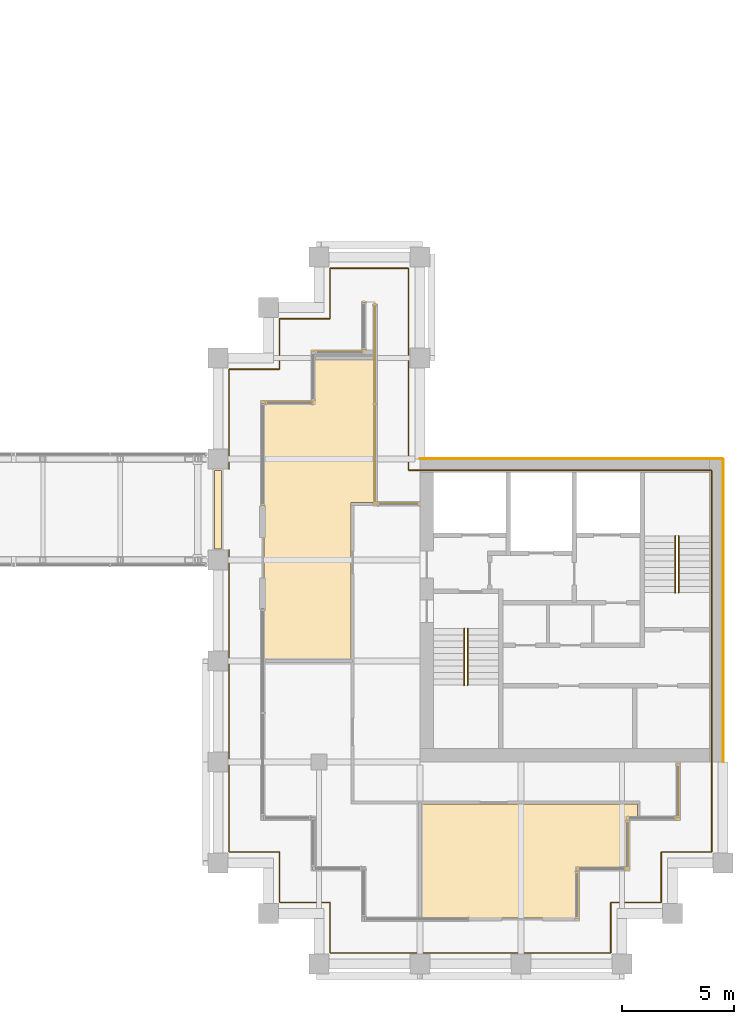
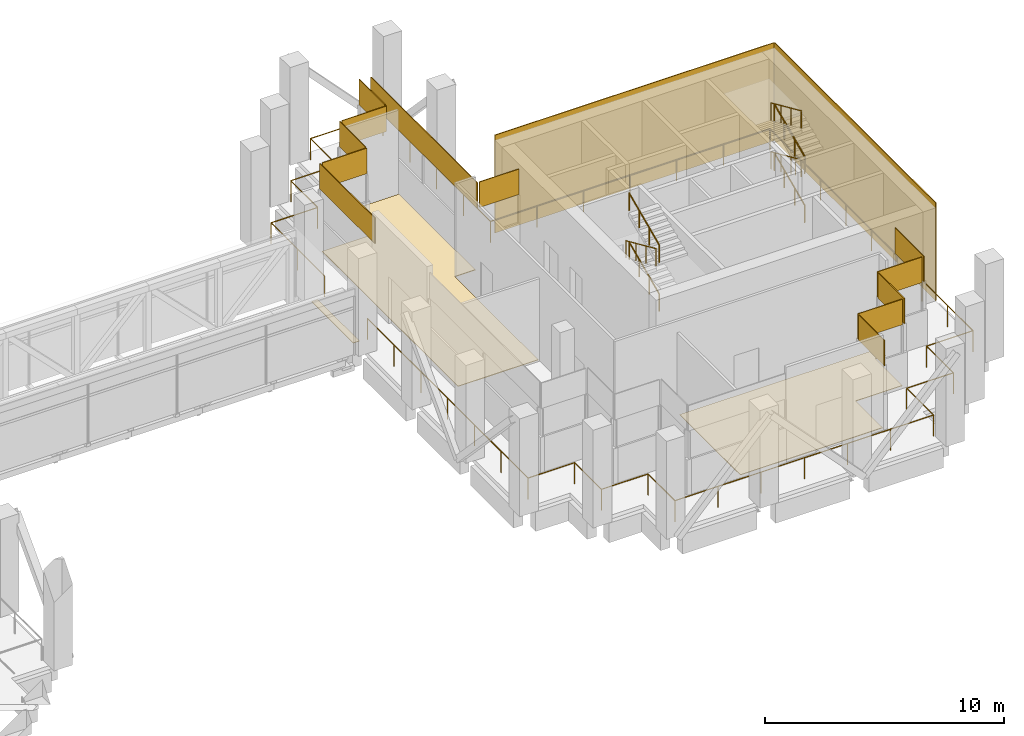
# One storey, part 34 of 34: 17 coverings, 8 railings.
"""IFC4 building model written with IfcOpenShell, lengths in metres."""

from ifc_helpers import new_model, si_unit, direction, frame, origin, origin_2d, place, context, subcontext, project, spatial, polyline, rectangle, circle, outline, extrude, source, transform, mapped, material, layer, layer_set, type_object, element, save


model = new_model("IFC4")

# Units and contexts
model_context = context("Model", 3, precision=1e-05, world=origin(), true_north=direction((0.0, 1.0)))
body_context = subcontext(model_context, "Body", "Model", "MODEL_VIEW")
ifc_project = project(units=[si_unit("LENGTHUNIT", "METRE"), si_unit("AREAUNIT", "SQUARE_METRE"), si_unit("VOLUMEUNIT", "CUBIC_METRE"), si_unit("PLANEANGLEUNIT", "RADIAN"), si_unit("MASSUNIT", "GRAM", prefix="KILO")], contexts=[model_context])

# Site, building, storey
site_placement = place(None, origin())
site = spatial("IfcSite", under=ifc_project, at=site_placement, CompositionType="ELEMENT")
building_placement = place(site_placement, origin())
building = spatial("IfcBuilding", under=site, at=building_placement, Name="Altepetl Exchange Towers", CompositionType="ELEMENT")
storey_placement = place(building_placement, frame((0.0, 0.0, 190.60009765625)))
storey = spatial("IfcBuildingStorey", under=building, at=storey_placement, Name="L48 Refuge", CompositionType="ELEMENT", Elevation=190.60009765625)

# Coverings
ifc_material_1 = material(Name="Stainless steel and elastomer joint cover", Category="steel")
ifc_layer_1 = layer(ifc_material_1, 0.02001953125)
ifc_layer_set_1 = layer_set([ifc_layer_1], Name="Stainless steel and elastomer joint cover")
covering_type_1 = type_object("IfcCoveringType", Name="Flexible expansion joint cover 300", PredefinedType="FLOORING", material=ifc_layer_set_1)
covering_1_placement = place(storey_placement, frame((94.5, 47.25, 0.0)))
element("IfcCovering", 1, at=covering_1_placement, inside=storey, type_object=covering_type_1, Name="BR3 joint cover", PredefinedType="FLOORING", context=body_context, shape_type="SweptSolid", body=[
    extrude(rectangle(XDim=0.300048828125, YDim=3.5, at=origin_2d()), origin(), (0.0, 0.0, 1.0), 0.02001953125),
])
ifc_material_2 = material(Name="Cantera stone", Category="masonry")
ifc_layer_2 = layer(ifc_material_2, 0.030029296875)
ifc_layer_set_2 = layer_set([ifc_layer_2], Name="Cantera stone")
covering_type_2 = type_object("IfcCoveringType", Name="Polished stone floor", PredefinedType="FLOORING", material=ifc_layer_set_2)
covering_2_placement = place(storey_placement, origin())
element("IfcCovering", 2, at=covering_2_placement, inside=storey, type_object=covering_type_2, Name="Refuge area floor finish B48.02", PredefinedType="FLOORING", context=body_context, shape_type="SweptSolid", body=[
    extrude(outline(polyline([(113.1875, 34.137451171875), (103.5625, 34.137451171875), (103.5625, 29.0625), (110.4375, 29.0625), (110.4375, 31.3125), (112.6875, 31.3125), (112.6875, 33.5625), (113.1875, 33.5625), (113.1875, 34.137451171875)])), origin(), (0.0, 0.0, 1.0), 0.02978515625),
])
covering_3_placement = place(storey_placement, origin())
element("IfcCovering", 3, at=covering_3_placement, inside=storey, type_object=covering_type_2, Name="Bridge lobby floor finish B48.03", PredefinedType="FLOORING", context=body_context, shape_type="SweptSolid", body=[
    extrude(outline(polyline([(96.5625, 51.9375), (96.5625, 40.5625), (100.4375, 40.5625), (100.4375, 47.5625), (101.4375, 47.5625), (101.4375, 53.9375), (98.8125, 53.9375), (98.8125, 51.9375), (96.5625, 51.9375)])), origin(), (0.0, 0.0, 1.0), 0.02978515625),
])
ifc_material_3 = material(Name="Cantera limestone cladding", Category="masonry")
ifc_layer_3 = layer(ifc_material_3, 0.0400390625)
ifc_layer_set_3 = layer_set([ifc_layer_3], Name="Cantera limestone cladding")
covering_type_3 = type_object("IfcCoveringType", Name="Stone panel 40 cantera", PredefinedType="CLADDING", material=ifc_layer_set_3)
covering_4_placement = place(storey_placement, frame((110.5, 30.074951171875, 3.19970703125), z_axis=(0.0, 0.0, 1.0), x_axis=(0.0, 1.0, 0.0)))
element("IfcCovering", 4, at=covering_4_placement, inside=storey, type_object=covering_type_3, Name="Stone cladding band", PredefinedType="CLADDING", context=body_context, shape_type="SweptSolid", body=[
    extrude(rectangle(XDim=2.14990234375, YDim=0.0400390625, at=origin_2d()), origin(), (0.0, 0.0, 1.0), 1.300048828125),
])
covering_5_placement = place(storey_placement, frame((111.574951171875, 31.25, 3.19970703125)))
element("IfcCovering", 5, at=covering_5_placement, inside=storey, type_object=covering_type_3, Name="Stone cladding band", PredefinedType="CLADDING", context=body_context, shape_type="SweptSolid", body=[
    extrude(rectangle(XDim=2.14990234375, YDim=0.0400390625, at=origin_2d()), origin(), (0.0, 0.0, 1.0), 1.300048828125),
])
covering_6_placement = place(storey_placement, frame((112.75, 32.324951171875, 3.19970703125), z_axis=(0.0, 0.0, 1.0), x_axis=(0.0, 1.0, 0.0)))
element("IfcCovering", 6, at=covering_6_placement, inside=storey, type_object=covering_type_3, Name="Stone cladding band", PredefinedType="CLADDING", context=body_context, shape_type="SweptSolid", body=[
    extrude(rectangle(XDim=2.14990234375, YDim=0.0400390625, at=origin_2d()), origin(), (0.0, 0.0, 1.0), 1.300048828125),
])
covering_7_placement = place(storey_placement, frame((113.824951171875, 33.5, 3.19970703125)))
element("IfcCovering", 7, at=covering_7_placement, inside=storey, type_object=covering_type_3, Name="Stone cladding band", PredefinedType="CLADDING", context=body_context, shape_type="SweptSolid", body=[
    extrude(rectangle(XDim=2.14990234375, YDim=0.0400390625, at=origin_2d()), origin(), (0.0, 0.0, 1.0), 1.300048828125),
])
covering_8_placement = place(storey_placement, frame((115.0, 34.699951171875, 3.19970703125), z_axis=(0.0, 0.0, 1.0), x_axis=(0.0, 1.0, 0.0)))
element("IfcCovering", 8, at=covering_8_placement, inside=storey, type_object=covering_type_3, Name="Stone cladding band", PredefinedType="CLADDING", context=body_context, shape_type="SweptSolid", body=[
    extrude(rectangle(XDim=2.39990234375, YDim=0.0400390625, at=origin_2d()), origin(), (0.0, 0.0, 1.0), 1.300048828125),
])
covering_9_placement = place(storey_placement, frame((102.550048828125, 47.5, 3.19970703125), z_axis=(0.0, 0.0, 1.0), x_axis=(-1.0, 0.0, 0.0)))
element("IfcCovering", 9, at=covering_9_placement, inside=storey, type_object=covering_type_3, Name="Stone cladding band", PredefinedType="CLADDING", context=body_context, shape_type="SweptSolid", body=[
    extrude(rectangle(XDim=1.89990234375, YDim=0.0400390625, at=origin_2d()), origin(), (0.0, 0.0, 1.0), 1.300048828125),
])
covering_10_placement = place(storey_placement, frame((101.5, 51.949951171875, 3.19970703125), z_axis=(0.0, 0.0, 1.0), x_axis=(0.0, 1.0, 0.0)))
element("IfcCovering", 10, at=covering_10_placement, inside=storey, type_object=covering_type_3, Name="Stone cladding band", PredefinedType="CLADDING", context=body_context, shape_type="SweptSolid", body=[
    extrude(rectangle(XDim=8.89990234375, YDim=0.0400390625, at=origin_2d()), origin(), (0.0, 0.0, 1.0), 1.300048828125),
])
for number, where, z_axis, x_axis, name in (
    (11, (101.0, 55.425048828125, 3.19970703125), (0.0, 0.0, 1.0), (0.0, -1.0, 0.0), "Stone cladding band"),
    (12, (99.925048828125, 54.25, 3.19970703125), (0.0, 0.0, 1.0), (-1.0, 0.0, 0.0), "Stone cladding band"),
    (13, (98.75, 53.175048828125, 3.19970703125), (0.0, 0.0, 1.0), (0.0, -1.0, 0.0), "Stone cladding band"),
    (14, (97.675048828125, 52.0, 3.19970703125), (0.0, 0.0, 1.0), (-1.0, 0.0, 0.0), "Stone cladding band"),
):
    element("IfcCovering", number, at=place(storey_placement, frame(where, z_axis=z_axis, x_axis=x_axis)), inside=storey, type_object=covering_type_3, Name=name, PredefinedType="CLADDING", context=body_context, shape_type="SweptSolid", body=[
        extrude(rectangle(XDim=2.14990234375, YDim=0.0400390625, at=origin_2d()), origin(), (0.0, 0.0, 1.0), 1.300048828125),
    ])
covering_11_placement = place(storey_placement, frame((96.5, 49.699951171875, 3.19970703125), z_axis=(0.0, 0.0, 1.0), x_axis=(0.0, -1.0, 0.0)))
element("IfcCovering", 15, at=covering_11_placement, inside=storey, type_object=covering_type_3, Name="Stone cladding band", PredefinedType="CLADDING", context=body_context, shape_type="SweptSolid", body=[
    extrude(rectangle(XDim=4.60009765625, YDim=0.0400390625, at=origin_2d()), origin(), (0.0, 0.0, 1.0), 1.300048828125),
])
for number, where, z_axis, x_axis, name in (
    (16, (117.02001953125, 42.75, 0.0), (0.0, 0.0, 1.0), (0.0, 1.0, 0.0), "Stone cladding panel"),
    (17, (110.25, 49.52001953125, 0.0), (0.0, 0.0, 1.0), (-1.0, 0.0, 0.0), "Stone cladding panel"),
):
    element("IfcCovering", number, at=place(storey_placement, frame(where, z_axis=z_axis, x_axis=x_axis)), inside=storey, type_object=covering_type_3, Name=name, PredefinedType="CLADDING", context=body_context, shape_type="SweptSolid", body=[
        extrude(rectangle(XDim=13.5, YDim=0.0400390625, at=origin_2d()), origin(), (0.0, 0.0, 1.0), 5.0),
    ])

# Railings
ifc_material_4 = material(Name="Steel S355", Category="steel")
railing_type_1 = type_object("IfcRailingType", Name="Guard 1100 steel posts and rail", PredefinedType="GUARDRAIL", material=ifc_material_4)
shared_shape_1 = source(origin(), body_context, "Body", "SweptSolid", [
    extrude(circle(Radius=0.02099609375, at=origin_2d()), origin(), (0.0, 0.0, 1.0), 1.052001953125),
])
railing_1_placement = place(storey_placement, frame((95.0, 45.449951171875, 0.0)))
element("IfcRailing", 18, at=railing_1_placement, inside=storey, type_object=railing_type_1, Name="Loggia guard", PredefinedType="GUARDRAIL", context=body_context, shape_type="SweptSolid", body=[
    extrude(circle(Radius=0.02392578125, at=origin_2d()), frame((0.0, 0.0, 1.076171875), z_axis=(0.0, -1.0, 0.0), x_axis=(1.0, 0.0, 0.0)), (0.0, 0.0, 1.0), 13.449951171875),
    extrude(circle(Radius=0.02392578125, at=origin_2d()), frame((0.0, -13.449951171875, 1.076171875), z_axis=(1.0, 0.0, 0.0), x_axis=(0.0, 1.0, 0.0)), (0.0, 0.0, 1.0), 2.25),
    extrude(circle(Radius=0.02392578125, at=origin_2d()), frame((2.25, -13.449951171875, 1.076171875), z_axis=(0.0, -1.0, 0.0), x_axis=(1.0, 0.0, 0.0)), (0.0, 0.0, 1.0), 2.25),
    extrude(circle(Radius=0.02392578125, at=origin_2d()), frame((2.25, -15.699951171875, 1.076171875), z_axis=(1.0, 0.0, 0.0), x_axis=(0.0, 1.0, 0.0)), (0.0, 0.0, 1.0), 2.25),
    extrude(circle(Radius=0.02392578125, at=origin_2d()), frame((4.5, -15.699951171875, 1.076171875), z_axis=(0.0, -1.0, 0.0), x_axis=(1.0, 0.0, 0.0)), (0.0, 0.0, 1.0), 2.25),
    extrude(circle(Radius=0.02392578125, at=origin_2d()), frame((4.5, -17.949951171875, 1.076171875), z_axis=(1.0, 0.0, 0.0), x_axis=(0.0, 1.0, 0.0)), (0.0, 0.0, 1.0), 12.5),
    extrude(circle(Radius=0.02392578125, at=origin_2d()), frame((17.0, -17.949951171875, 1.076171875), z_axis=(0.0, 1.0, 0.0), x_axis=(-1.0, 0.0, 0.0)), (0.0, 0.0, 1.0), 2.25),
    extrude(circle(Radius=0.02392578125, at=origin_2d()), frame((17.0, -15.699951171875, 1.076171875), z_axis=(1.0, 0.0, 0.0), x_axis=(0.0, 1.0, 0.0)), (0.0, 0.0, 1.0), 2.25),
    extrude(circle(Radius=0.02392578125, at=origin_2d()), frame((19.25, -15.699951171875, 1.076171875), z_axis=(0.0, 1.0, 0.0), x_axis=(-1.0, 0.0, 0.0)), (0.0, 0.0, 1.0), 2.25),
    extrude(circle(Radius=0.02392578125, at=origin_2d()), frame((19.25, -13.449951171875, 1.076171875), z_axis=(1.0, 0.0, 0.0), x_axis=(0.0, 1.0, 0.0)), (0.0, 0.0, 1.0), 2.25),
    extrude(circle(Radius=0.02392578125, at=origin_2d()), frame((21.5, -13.449951171875, 1.076171875), z_axis=(0.0, 1.0, 0.0), x_axis=(-1.0, 0.0, 0.0)), (0.0, 0.0, 1.0), 17.0),
    extrude(circle(Radius=0.02392578125, at=origin_2d()), frame((21.5, 3.550048828125, 1.076171875), z_axis=(-1.0, 0.0, 0.0), x_axis=(0.0, -1.0, 0.0)), (0.0, 0.0, 1.0), 13.5),
    extrude(circle(Radius=0.02392578125, at=origin_2d()), frame((8.0, 3.550048828125, 1.076171875), z_axis=(0.0, 1.0, 0.0), x_axis=(-1.0, 0.0, 0.0)), (0.0, 0.0, 1.0), 9.0),
    extrude(circle(Radius=0.02392578125, at=origin_2d()), frame((8.0, 12.550048828125, 1.076171875), z_axis=(-1.0, 0.0, 0.0), x_axis=(0.0, -1.0, 0.0)), (0.0, 0.0, 1.0), 3.5),
    extrude(circle(Radius=0.02392578125, at=origin_2d()), frame((4.5, 12.550048828125, 1.076171875), z_axis=(0.0, -1.0, 0.0), x_axis=(1.0, 0.0, 0.0)), (0.0, 0.0, 1.0), 2.25),
    extrude(circle(Radius=0.02392578125, at=origin_2d()), frame((4.5, 10.300048828125, 1.076171875), z_axis=(-1.0, 0.0, 0.0), x_axis=(0.0, -1.0, 0.0)), (0.0, 0.0, 1.0), 2.25),
    extrude(circle(Radius=0.02392578125, at=origin_2d()), frame((2.25, 10.300048828125, 1.076171875), z_axis=(0.0, -1.0, 0.0), x_axis=(1.0, 0.0, 0.0)), (0.0, 0.0, 1.0), 2.25),
    extrude(circle(Radius=0.02392578125, at=origin_2d()), frame((2.25, 8.050048828125, 1.076171875), z_axis=(-1.0, 0.0, 0.0), x_axis=(0.0, -1.0, 0.0)), (0.0, 0.0, 1.0), 2.25),
    extrude(circle(Radius=0.02392578125, at=origin_2d()), frame((0.0, 8.050048828125, 1.076171875), z_axis=(0.0, -1.0, 0.0), x_axis=(1.0, 0.0, 0.0)), (0.0, 0.0, 1.0), 4.449951171875),
    mapped(shared_shape_1, transform((0.0, 0.0, 0.0))),
    mapped(shared_shape_1, transform((0.0, -2.24169921875, 0.0))),
    mapped(shared_shape_1, transform((0.0, -4.4833984375, 0.0))),
    mapped(shared_shape_1, transform((0.0, -6.72509765625, 0.0))),
    mapped(shared_shape_1, transform((0.0, -8.966552734375, 0.0))),
    mapped(shared_shape_1, transform((0.0, -11.208251953125, 0.0))),
    mapped(shared_shape_1, transform((0.0, -13.449951171875, 0.0))),
    mapped(shared_shape_1, transform((2.25, -13.449951171875, 0.0))),
    mapped(shared_shape_1, transform((2.25, -15.699951171875, 0.0))),
    mapped(shared_shape_1, transform((4.5, -15.699951171875, 0.0))),
    mapped(shared_shape_1, transform((4.5, -17.949951171875, 0.0))),
    mapped(shared_shape_1, transform((6.583251953125, -17.949951171875, 0.0))),
    mapped(shared_shape_1, transform((8.666748046875, -17.949951171875, 0.0))),
    mapped(shared_shape_1, transform((10.75, -17.949951171875, 0.0))),
    mapped(shared_shape_1, transform((12.833251953125, -17.949951171875, 0.0))),
    mapped(shared_shape_1, transform((14.916748046875, -17.949951171875, 0.0))),
    mapped(shared_shape_1, transform((17.0, -17.949951171875, 0.0))),
    mapped(shared_shape_1, transform((17.0, -15.699951171875, 0.0))),
    mapped(shared_shape_1, transform((19.25, -15.699951171875, 0.0))),
    mapped(shared_shape_1, transform((19.25, -13.449951171875, 0.0))),
    mapped(shared_shape_1, transform((21.5, -13.449951171875, 0.0))),
    mapped(shared_shape_1, transform((21.5, -11.324951171875, 0.0))),
    mapped(shared_shape_1, transform((21.5, -9.199951171875, 0.0))),
    mapped(shared_shape_1, transform((21.5, -7.074951171875, 0.0))),
    mapped(shared_shape_1, transform((21.5, -4.949951171875, 0.0))),
    mapped(shared_shape_1, transform((21.5, -2.824951171875, 0.0))),
    mapped(shared_shape_1, transform((21.5, -0.699951171875, 0.0))),
    mapped(shared_shape_1, transform((21.5, 1.425048828125, 0.0))),
    mapped(shared_shape_1, transform((21.5, 3.550048828125, 0.0))),
    mapped(shared_shape_1, transform((19.25, 3.550048828125, 0.0))),
    mapped(shared_shape_1, transform((17.0, 3.550048828125, 0.0))),
    mapped(shared_shape_1, transform((14.75, 3.550048828125, 0.0))),
    mapped(shared_shape_1, transform((12.5, 3.550048828125, 0.0))),
    mapped(shared_shape_1, transform((10.25, 3.550048828125, 0.0))),
    mapped(shared_shape_1, transform((8.0, 3.550048828125, 0.0))),
    mapped(shared_shape_1, transform((8.0, 5.800048828125, 0.0))),
    mapped(shared_shape_1, transform((8.0, 8.050048828125, 0.0))),
    mapped(shared_shape_1, transform((8.0, 10.300048828125, 0.0))),
    mapped(shared_shape_1, transform((8.0, 12.550048828125, 0.0))),
    mapped(shared_shape_1, transform((6.25, 12.550048828125, 0.0))),
    mapped(shared_shape_1, transform((4.5, 12.550048828125, 0.0))),
    mapped(shared_shape_1, transform((4.5, 10.300048828125, 0.0))),
    mapped(shared_shape_1, transform((2.25, 10.300048828125, 0.0))),
    mapped(shared_shape_1, transform((2.25, 8.050048828125, 0.0))),
    mapped(shared_shape_1, transform((0.0, 8.050048828125, 0.0))),
    mapped(shared_shape_1, transform((0.0, 5.8251953125, 0.0))),
    mapped(shared_shape_1, transform((0.0, 3.60009765625, 0.0))),
])
ifc_material_5 = material(Name="Steel", Category="steel")
railing_type_2 = type_object("IfcRailingType", Name="Stair handrail 50 steel tube", PredefinedType="HANDRAIL", material=ifc_material_5)
shared_shape_2 = source(origin(), body_context, "Body", "SweptSolid", [
    extrude(circle(Radius=0.02099609375, at=origin_2d()), origin(), (0.0, 0.0, 1.0), 0.851806640625),
])
railing_2_placement = place(storey_placement, frame((105.6298828125, 39.429931640625, 1.375)))
element("IfcRailing", 19, at=railing_2_placement, inside=storey, type_object=railing_type_2, Name="Stair handrail", PredefinedType="HANDRAIL", context=body_context, shape_type="SweptSolid", body=[
    extrude(circle(Radius=0.02392578125, at=origin_2d()), frame((0.0, 0.0, 0.8759765625), z_axis=(0.0, 0.913139058521, 0.407648205936), x_axis=(-1.0, 0.0, 0.0)), (0.0, 0.0, 1.0), 2.759765625),
    mapped(shared_shape_2, transform((0.0, 0.0, 0.0))),
    mapped(shared_shape_2, transform((0.0, 0.840087890625, 0.375))),
    mapped(shared_shape_2, transform((0.0, 1.679931640625, 0.75))),
    mapped(shared_shape_2, transform((0.0, 2.52001953125, 1.125))),
])
railing_3_placement = place(storey_placement, frame((105.469970703125, 41.949951171875, 2.625)))
element("IfcRailing", 20, at=railing_3_placement, inside=storey, type_object=railing_type_2, Name="Stair handrail", PredefinedType="HANDRAIL", context=body_context, shape_type="SweptSolid", body=[
    extrude(circle(Radius=0.02392578125, at=origin_2d()), frame((0.0, 0.0, 0.8759765625), z_axis=(0.0, -0.913139058521, 0.407648205936), x_axis=(1.0, 0.0, 0.0)), (0.0, 0.0, 1.0), 2.759765625),
    mapped(shared_shape_2, transform((0.0, 0.0, 0.0))),
    mapped(shared_shape_2, transform((0.0, -0.840087890625, 0.375))),
    mapped(shared_shape_2, transform((0.0, -1.679931640625, 0.75))),
    mapped(shared_shape_2, transform((0.0, -2.52001953125, 1.125))),
])
for number, where, name in (
    (21, (105.6298828125, 39.429931640625, 3.875), "Stair handrail"),
    (22, (115.030029296875, 43.550048828125, 0.125), "Stair handrail"),
):
    element("IfcRailing", number, at=place(storey_placement, frame(where)), inside=storey, type_object=railing_type_2, Name=name, PredefinedType="HANDRAIL", context=body_context, shape_type="SweptSolid", body=[
        extrude(circle(Radius=0.02392578125, at=origin_2d()), frame((0.0, 0.0, 0.8759765625), z_axis=(0.0, 0.913139058521, 0.407648205936), x_axis=(-1.0, 0.0, 0.0)), (0.0, 0.0, 1.0), 2.759765625),
        mapped(shared_shape_2, transform((0.0, 0.0, 0.0))),
        mapped(shared_shape_2, transform((0.0, 0.840087890625, 0.375))),
        mapped(shared_shape_2, transform((0.0, 1.679931640625, 0.75))),
        mapped(shared_shape_2, transform((0.0, 2.52001953125, 1.125))),
    ])
railing_4_placement = place(storey_placement, frame((114.8701171875, 46.070068359375, 1.375)))
element("IfcRailing", 23, at=railing_4_placement, inside=storey, type_object=railing_type_2, Name="Stair handrail", PredefinedType="HANDRAIL", context=body_context, shape_type="SweptSolid", body=[
    extrude(circle(Radius=0.02392578125, at=origin_2d()), frame((0.0, 0.0, 0.8759765625), z_axis=(0.0, -0.913139058521, 0.407648205936), x_axis=(1.0, 0.0, 0.0)), (0.0, 0.0, 1.0), 2.759765625),
    mapped(shared_shape_2, transform((0.0, 0.0, 0.0))),
    mapped(shared_shape_2, transform((0.0, -0.840087890625, 0.375))),
    mapped(shared_shape_2, transform((0.0, -1.679931640625, 0.75))),
    mapped(shared_shape_2, transform((0.0, -2.52001953125, 1.125))),
])
railing_5_placement = place(storey_placement, frame((115.030029296875, 43.550048828125, 2.625)))
element("IfcRailing", 24, at=railing_5_placement, inside=storey, type_object=railing_type_2, Name="Stair handrail", PredefinedType="HANDRAIL", context=body_context, shape_type="SweptSolid", body=[
    extrude(circle(Radius=0.02392578125, at=origin_2d()), frame((0.0, 0.0, 0.8759765625), z_axis=(0.0, 0.913139058521, 0.407648205936), x_axis=(-1.0, 0.0, 0.0)), (0.0, 0.0, 1.0), 2.759765625),
    mapped(shared_shape_2, transform((0.0, 0.0, 0.0))),
    mapped(shared_shape_2, transform((0.0, 0.840087890625, 0.375))),
    mapped(shared_shape_2, transform((0.0, 1.679931640625, 0.75))),
    mapped(shared_shape_2, transform((0.0, 2.52001953125, 1.125))),
])
railing_6_placement = place(storey_placement, frame((114.8701171875, 46.070068359375, 3.875)))
element("IfcRailing", 25, at=railing_6_placement, inside=storey, type_object=railing_type_2, Name="Stair handrail", PredefinedType="HANDRAIL", context=body_context, shape_type="SweptSolid", body=[
    extrude(circle(Radius=0.02392578125, at=origin_2d()), frame((0.0, 0.0, 0.8759765625), z_axis=(0.0, -0.913139058521, 0.407648205936), x_axis=(1.0, 0.0, 0.0)), (0.0, 0.0, 1.0), 2.759765625),
    mapped(shared_shape_2, transform((0.0, 0.0, 0.0))),
    mapped(shared_shape_2, transform((0.0, -0.840087890625, 0.375))),
    mapped(shared_shape_2, transform((0.0, -1.679931640625, 0.75))),
    mapped(shared_shape_2, transform((0.0, -2.52001953125, 1.125))),
])

save(model, "model.ifc")
